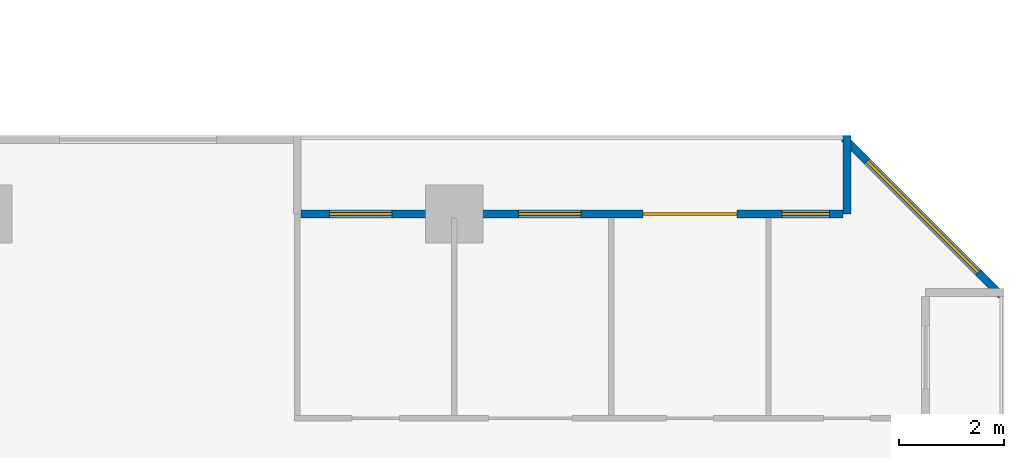
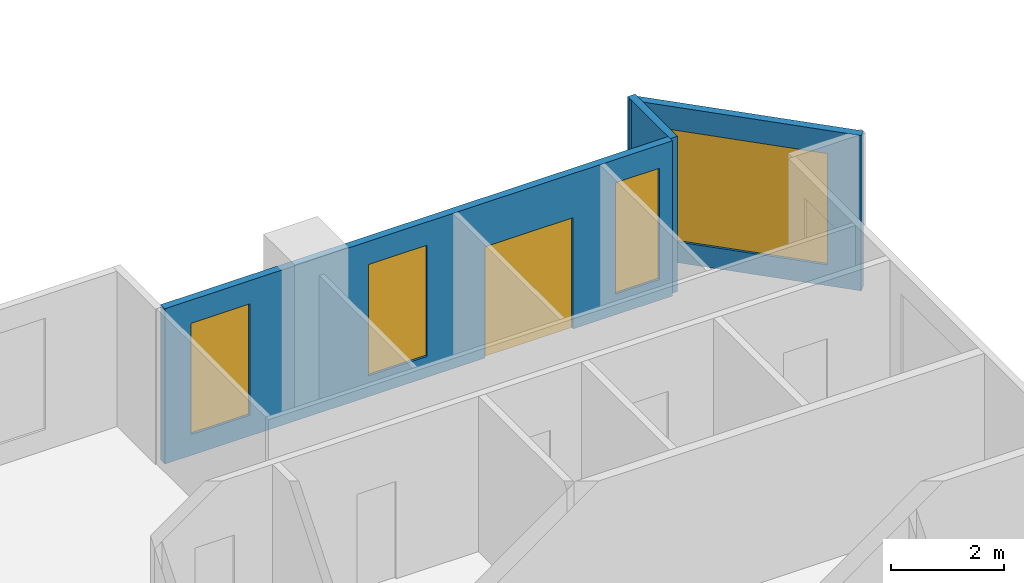
# One storey, part 13 of 16: 4 windows, 3 walls, 1 door, 5 openings.
"""IFC4 building model written with IfcOpenShell, lengths in metres."""

from ifc_helpers import new_model, si_unit, direction, frame, frame_2d, origin, place, context, subcontext, project, spatial, rectangle, extrude, material, layer, layer_set, type_object, element, fill, save


model = new_model("IFC4")

# Units and contexts
model_context = context("Model", 3, precision=1e-05, world=origin(), true_north=direction((0.0, 1.0)))
body_context = subcontext(model_context, "Body", "Model", "MODEL_VIEW")
ifc_project = project(units=[si_unit("LENGTHUNIT", "METRE"), si_unit("AREAUNIT", "SQUARE_METRE"), si_unit("VOLUMEUNIT", "CUBIC_METRE"), si_unit("PLANEANGLEUNIT", "RADIAN"), si_unit("MASSUNIT", "GRAM", prefix="KILO")], contexts=[model_context])

# Site, building, storey
site_placement = place(None, origin())
site = spatial("IfcSite", under=ifc_project, at=site_placement, CompositionType="ELEMENT")
building_placement = place(site_placement, origin())
building = spatial("IfcBuilding", under=site, at=building_placement, Name="Chenar Terraces", CompositionType="ELEMENT")
storey_placement = place(building_placement, frame((0.0, 0.0, 75.14990234375)))
storey = spatial("IfcBuildingStorey", under=building, at=storey_placement, Name="L16", CompositionType="ELEMENT", Elevation=75.14990234375)

# Wall, openings, windows, door
ifc_material_1 = material(Name="Aluminium framed glazing", Category="aluminium")
ifc_layer_1 = layer(ifc_material_1, 0.14990234375)
ifc_layer_set_1 = layer_set([ifc_layer_1], Name="Aluminium framed glazing")
wall_type_1 = type_object("IfcWallType", Name="Glazed loggia back wall 150", PredefinedType="SOLIDWALL", material=ifc_layer_set_1)
wall_1_placement = place(storey_placement, frame((70.425048828125, 24.0, 0.0), z_axis=(0.0, 0.0, 1.0), x_axis=(-1.0, 0.0, 0.0)))
wall_1 = element("IfcWall", 1, at=wall_1_placement, inside=storey, type_object=wall_type_1, Name="Glazed loggia back wall", PredefinedType="SOLIDWALL", context=body_context, shape_type="SweptSolid", body=[
    extrude(rectangle(XDim=10.35009765625, YDim=0.14990234375, at=frame_2d((5.175048828125, 0.0))), origin(), (0.0, 0.0, 1.0), 3.35009765625),
])
opening_1_placement = place(wall_1_placement, frame((0.262451171875, 0.0, 0.449951171875)))
opening_1 = element("IfcOpeningElement", 2, at=opening_1_placement, cuts=wall_1, Name="Opening W90x240", PredefinedType="OPENING", context=body_context, shape_type="SweptSolid", body=[
    extrude(rectangle(XDim=0.89990234375, YDim=2.39990234375, at=frame_2d((0.449951171875, 1.199951171875))), frame((0.0, 0.0849609375, 0.0), z_axis=(0.0, -1.0, 0.0), x_axis=(1.0, 0.0, 0.0)), (0.0, 0.0, 1.0), 0.169921875),
])
opening_2_placement = place(wall_1_placement, frame((2.02490234375, 0.0, 0.0)))
opening_2 = element("IfcOpeningElement", 3, at=opening_2_placement, cuts=wall_1, Name="Opening DL16-G1", PredefinedType="OPENING", context=body_context, shape_type="SweptSolid", body=[
    extrude(rectangle(XDim=1.800048828125, YDim=2.39990234375, at=frame_2d((0.89990234375, 1.199951171875))), frame((0.0, 0.0849609375, 0.0), z_axis=(0.0, -1.0, 0.0), x_axis=(1.0, 0.0, 0.0)), (0.0, 0.0, 1.0), 0.169921875),
])
opening_3_placement = place(wall_1_placement, frame((5.0, 0.0, 0.449951171875)))
opening_3 = element("IfcOpeningElement", 4, at=opening_3_placement, cuts=wall_1, Name="Opening W120x240", PredefinedType="OPENING", context=body_context, shape_type="SweptSolid", body=[
    extrude(rectangle(XDim=1.199951171875, YDim=2.39990234375, at=frame_2d((0.60009765625, 1.199951171875))), frame((0.0, 0.0849609375, 0.0), z_axis=(0.0, -1.0, 0.0), x_axis=(1.0, 0.0, 0.0)), (0.0, 0.0, 1.0), 0.169921875),
])
opening_4_placement = place(wall_1_placement, frame((8.612548828125, 0.0, 0.449951171875)))
opening_4 = element("IfcOpeningElement", 5, at=opening_4_placement, cuts=wall_1, Name="Opening W120x240", PredefinedType="OPENING", context=body_context, shape_type="SweptSolid", body=[
    extrude(rectangle(XDim=1.199951171875, YDim=2.39990234375, at=frame_2d((0.60009765625, 1.199951171875))), frame((0.0, 0.0849609375, 0.0), z_axis=(0.0, -1.0, 0.0), x_axis=(1.0, 0.0, 0.0)), (0.0, 0.0, 1.0), 0.169921875),
])
ifc_material_2 = material(Name="Low emissivity double glazing, aluminium frame", Category="aluminium")
window_type_1 = type_object("IfcWindowType", Name="Fixed light 1200 x 2400", PartitioningType="SINGLE_PANEL", PredefinedType="WINDOW", material=ifc_material_2)
window_1_placement = place(opening_3_placement, origin())
window_1 = element("IfcWindow", 6, at=window_1_placement, inside=storey, type_object=window_type_1, Name="Window", OverallHeight=2.39990234375, OverallWidth=1.199951171875, PartitioningType="SINGLE_PANEL", PredefinedType="WINDOW", context=body_context, shape_type="SweptSolid", body=[
    extrude(rectangle(XDim=1.199951171875, YDim=2.39990234375, at=frame_2d((0.60009765625, 1.199951171875))), frame((0.0, 0.030029296875, 0.0), z_axis=(0.0, -1.0, 0.0), x_axis=(1.0, 0.0, 0.0)), (0.0, 0.0, 1.0), 0.06005859375),
])
fill(opening_3, window_1)
window_2_placement = place(opening_4_placement, origin())
window_2 = element("IfcWindow", 7, at=window_2_placement, inside=storey, type_object=window_type_1, Name="Window", OverallHeight=2.39990234375, OverallWidth=1.199951171875, PartitioningType="SINGLE_PANEL", PredefinedType="WINDOW", context=body_context, shape_type="SweptSolid", body=[
    extrude(rectangle(XDim=1.199951171875, YDim=2.39990234375, at=frame_2d((0.60009765625, 1.199951171875))), frame((0.0, 0.030029296875, 0.0), z_axis=(0.0, -1.0, 0.0), x_axis=(1.0, 0.0, 0.0)), (0.0, 0.0, 1.0), 0.06005859375),
])
fill(opening_4, window_2)
ifc_material_3 = material(Name="Low emissivity double glazing, aluminium frame", Category="aluminium")
window_type_2 = type_object("IfcWindowType", Name="Fixed light 900 x 2400", PartitioningType="SINGLE_PANEL", PredefinedType="WINDOW", material=ifc_material_3)
window_3_placement = place(opening_1_placement, origin())
window_3 = element("IfcWindow", 8, at=window_3_placement, inside=storey, type_object=window_type_2, Name="Window", OverallHeight=2.39990234375, OverallWidth=0.89990234375, PartitioningType="SINGLE_PANEL", PredefinedType="WINDOW", context=body_context, shape_type="SweptSolid", body=[
    extrude(rectangle(XDim=0.89990234375, YDim=2.39990234375, at=frame_2d((0.449951171875, 1.199951171875))), frame((0.0, 0.030029296875, 0.0), z_axis=(0.0, -1.0, 0.0), x_axis=(1.0, 0.0, 0.0)), (0.0, 0.0, 1.0), 0.06005859375),
])
fill(opening_1, window_3)
ifc_material_4 = material(Name="Low emissivity double glazing, aluminium frame", Category="aluminium")
door_type = type_object("IfcDoorType", Name="Loggia glazed double door 1800 x 2400", OperationType="DOUBLE_DOOR_SINGLE_SWING", PredefinedType="DOOR", material=ifc_material_4)
door_placement = place(opening_2_placement, frame((1.800048828125, 0.0, 0.0), z_axis=(0.0, 0.0, 1.0), x_axis=(-1.0, 0.0, 0.0)))
door = element("IfcDoor", 9, at=door_placement, inside=storey, type_object=door_type, Name="Loggia glazed door", OperationType="DOUBLE_DOOR_SINGLE_SWING", OverallHeight=2.39990234375, OverallWidth=1.800048828125, PredefinedType="DOOR", context=body_context, shape_type="SweptSolid", body=[
    extrude(rectangle(XDim=1.800048828125, YDim=2.39990234375, at=frame_2d((0.89990234375, 1.199951171875))), frame((0.0, 0.02490234375, 0.0), z_axis=(0.0, -1.0, 0.0), x_axis=(1.0, 0.0, 0.0)), (0.0, 0.0, 1.0), 0.050048828125),
])
fill(opening_2, door)

# Wall
ifc_material_5 = material(Name="Terracotta cladding on insulated backing", Category="masonry")
ifc_layer_2 = layer(ifc_material_5, 0.14990234375)
ifc_layer_set_2 = layer_set([ifc_layer_2], Name="Terracotta cladding on insulated backing")
wall_type_2 = type_object("IfcWallType", Name="Loggia return wall 150", PredefinedType="SOLIDWALL", material=ifc_layer_set_2)
wall_2_placement = place(storey_placement, frame((70.5, 25.5, 0.0), z_axis=(0.0, 0.0, 1.0), x_axis=(0.0, -1.0, 0.0)))
element("IfcWall", 10, at=wall_2_placement, inside=storey, type_object=wall_type_2, Name="Loggia return wall", PredefinedType="SOLIDWALL", context=body_context, shape_type="SweptSolid", body=[
    extrude(rectangle(XDim=1.5, YDim=0.14990234375, at=frame_2d((0.75, 0.0))), origin(), (0.0, 0.0, 1.0), 3.35009765625),
])

# Wall, opening, window
ifc_material_6 = material(Name="Terracotta cladding on insulated backing", Category="masonry")
ifc_layer_3 = layer(ifc_material_6, 0.14990234375)
ifc_layer_set_3 = layer_set([ifc_layer_3], Name="Terracotta cladding on insulated backing")
wall_type_3 = type_object("IfcWallType", Name="Terracotta rainscreen wall 150", PredefinedType="SOLIDWALL", material=ifc_layer_set_3)
wall_3_placement = place(storey_placement, frame((73.447021484375, 22.447021484375, 0.0), z_axis=(0.0, 0.0, 1.0), x_axis=(-0.707106781187, 0.707106781187, 0.0)))
wall_3 = element("IfcWall", 11, at=wall_3_placement, inside=storey, type_object=wall_type_3, Name="Terracotta rainscreen wall", PredefinedType="SOLIDWALL", context=body_context, shape_type="SweptSolid", body=[
    extrude(rectangle(XDim=4.24267578125, YDim=0.14990234375, at=frame_2d((2.121337890625, 0.0))), origin(), (0.0, 0.0, 1.0), 3.35009765625),
])
opening_5_placement = place(wall_3_placement, frame((0.621337890625, 0.0, 0.449951171875)))
opening_5 = element("IfcOpeningElement", 12, at=opening_5_placement, cuts=wall_3, Name="Opening W300x240", PredefinedType="OPENING", context=body_context, shape_type="SweptSolid", body=[
    extrude(rectangle(XDim=3.0, YDim=2.39990234375, at=frame_2d((1.5, 1.199951171875))), frame((0.0, 0.0849609375, 0.0), z_axis=(0.0, -1.0, 0.0), x_axis=(1.0, 0.0, 0.0)), (0.0, 0.0, 1.0), 0.169921875),
])
ifc_material_7 = material(Name="Low emissivity double glazing, aluminium frame", Category="aluminium")
window_type_3 = type_object("IfcWindowType", Name="Fixed light 3000 x 2400", PartitioningType="SINGLE_PANEL", PredefinedType="WINDOW", material=ifc_material_7)
window_4_placement = place(opening_5_placement, origin())
window_4 = element("IfcWindow", 13, at=window_4_placement, inside=storey, type_object=window_type_3, Name="Window", OverallHeight=2.39990234375, OverallWidth=3.0, PartitioningType="SINGLE_PANEL", PredefinedType="WINDOW", context=body_context, shape_type="SweptSolid", body=[
    extrude(rectangle(XDim=3.0, YDim=2.39990234375, at=frame_2d((1.5, 1.199951171875))), frame((0.0, 0.030029296875, 0.0), z_axis=(0.0, -1.0, 0.0), x_axis=(1.0, 0.0, 0.0)), (0.0, 0.0, 1.0), 0.06005859375),
])
fill(opening_5, window_4)

save(model, "model.ifc")
